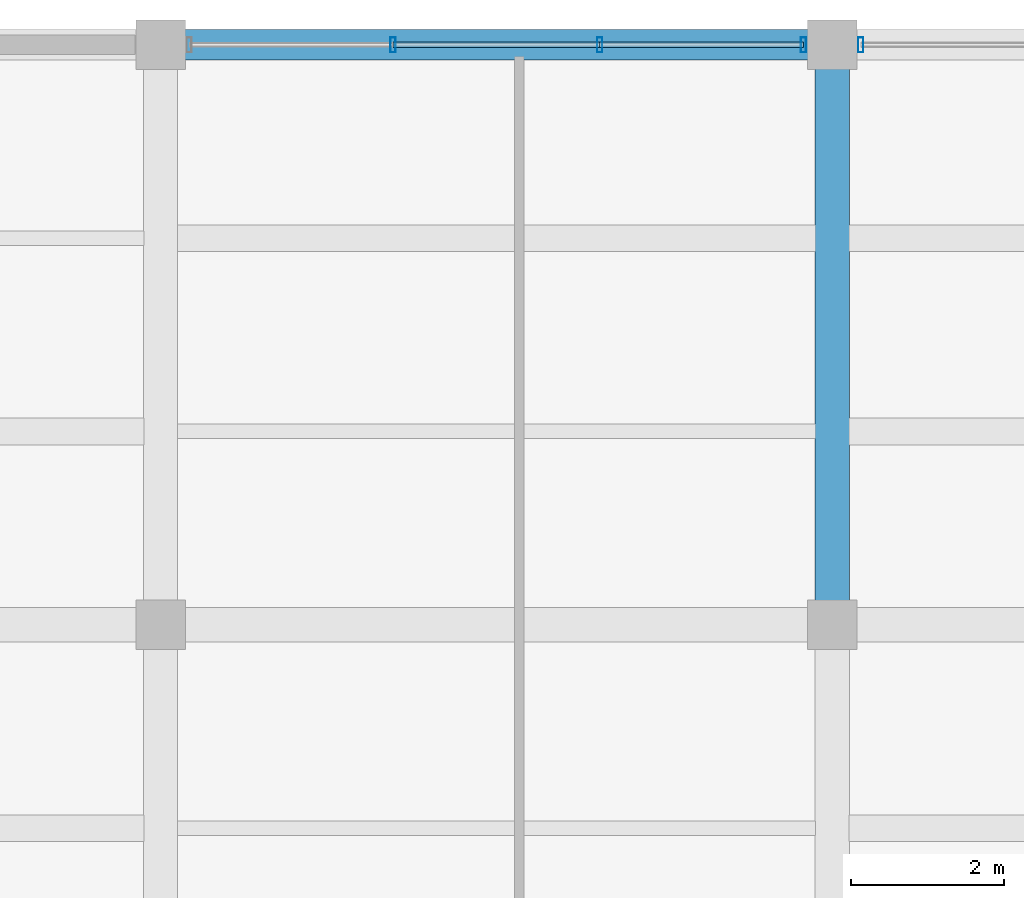
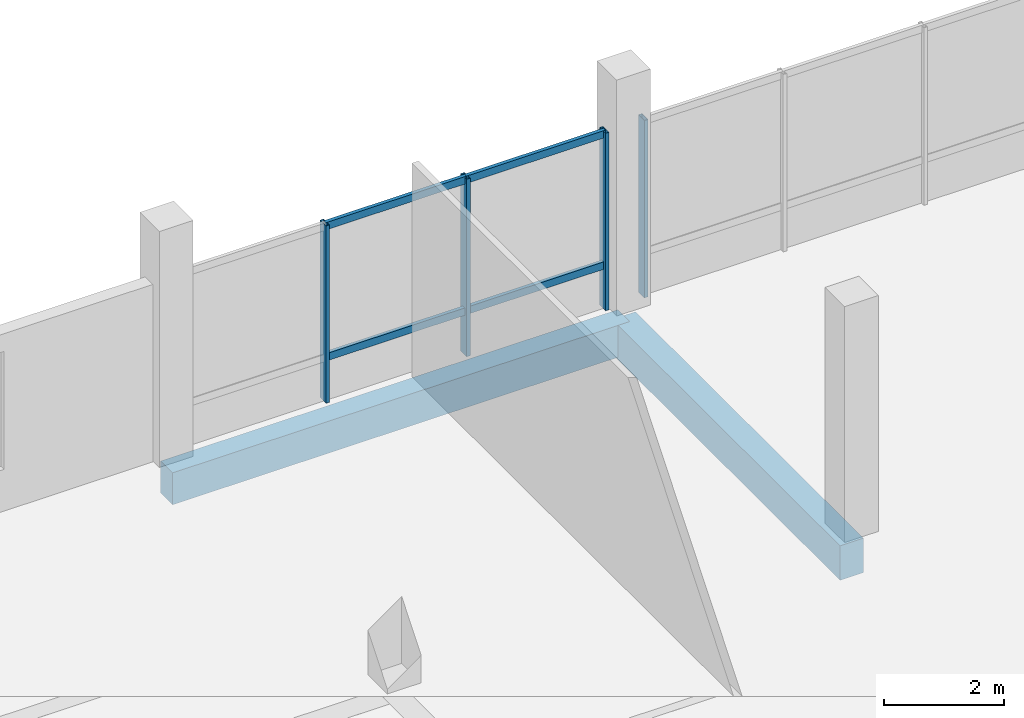
# One storey, part 49 of 71: 8 members, 2 beams, 2 elements without a shape of their own.
"""IFC4 building model written with IfcOpenShell, lengths in metres."""

from ifc_helpers import new_model, si_unit, direction, frame, origin, origin_2d, place, context, subcontext, project, spatial, rectangle, hollow_rectangle, extrude, material, layer, layer_set, material_profile, profile_set, type_object, element, aggregate, save


model = new_model("IFC4")

# Units and contexts
model_context = context("Model", 3, precision=1e-05, world=origin(), true_north=direction((0.0, 1.0)))
body_context = subcontext(model_context, "Body", "Model", "MODEL_VIEW")
ifc_project = project(units=[si_unit("LENGTHUNIT", "METRE"), si_unit("AREAUNIT", "SQUARE_METRE"), si_unit("VOLUMEUNIT", "CUBIC_METRE"), si_unit("PLANEANGLEUNIT", "RADIAN"), si_unit("MASSUNIT", "GRAM", prefix="KILO")], contexts=[model_context])

# Site, building, storey
site_placement = place(None, origin())
site = spatial("IfcSite", under=ifc_project, at=site_placement, CompositionType="ELEMENT")
building_placement = place(site_placement, origin())
building = spatial("IfcBuilding", under=site, at=building_placement, Name="Meriwether Solvik Hall", CompositionType="ELEMENT")
storey_placement = place(building_placement, frame((0.0, 0.0, 5.10009765625)))
storey = spatial("IfcBuildingStorey", under=building, at=storey_placement, Name="L01", CompositionType="ELEMENT", Elevation=5.10009765625)

# Beams
ifc_material_1 = material(Name="Concrete C40/50", Category="concrete")
ifc_material_profile_1 = material_profile(ifc_material_1, rectangle(XDim=0.39990234375, YDim=0.64990234375, at=origin_2d()), Name="RCB-400X650")
ifc_profile_set_1 = profile_set([ifc_material_profile_1], Name="Concrete C40/50")
beam_type_1 = type_object("IfcBeamType", Name="BM-RC-400X650", PredefinedType="SPANDREL", material=ifc_profile_set_1)
beam_1_placement = place(storey_placement, frame((131.800048828125, 116.800048828125, -0.625), z_axis=(1.0, 0.0, 0.0), x_axis=(0.0, 1.0, 0.0)))
element("IfcBeam", 1, at=beam_1_placement, inside=storey, type_object=beam_type_1, Name="Podium Girder N:15-16 (L01)", PredefinedType="SPANDREL", context=body_context, shape_type="SweptSolid", body=[
    extrude(rectangle(XDim=0.39990234375, YDim=0.64990234375, at=origin_2d()), origin(), (0.0, 0.0, 1.0), 8.800048828125),
])
ifc_material_2 = material(Name="Concrete C40/50", Category="concrete")
ifc_material_profile_2 = material_profile(ifc_material_2, rectangle(XDim=0.449951171875, YDim=0.699951171875, at=origin_2d()), Name="RCB-450X700")
ifc_profile_set_2 = profile_set([ifc_material_profile_2], Name="Concrete C40/50")
beam_type_2 = type_object("IfcBeamType", Name="BM-RC-450X700", PredefinedType="BEAM", material=ifc_profile_set_2)
beam_2_placement = place(storey_placement, frame((140.60009765625, 109.199951171875, -0.650146484375), z_axis=(0.0, 1.0, 0.0), x_axis=(-1.0, 0.0, 0.0)))
element("IfcBeam", 2, at=beam_2_placement, inside=storey, type_object=beam_type_2, Name="Podium Girder 16:M-N (L01)", PredefinedType="BEAM", context=body_context, shape_type="SweptSolid", body=[
    extrude(rectangle(XDim=0.449951171875, YDim=0.699951171875, at=origin_2d()), origin(), (0.0, 0.0, 1.0), 7.60009765625),
])

# Curtain wall, members
ifc_material_3 = material(Name="Thermally Broken Anodised Aluminium 6063-T6 and Low-E Glass", Category="aluminium")
ifc_layer = layer(ifc_material_3, 0.179931640625)
ifc_layer_set = layer_set([ifc_layer], Name="Thermally Broken Anodised Aluminium 6063-T6 and Low-E Glass")
curtain_wall_type = type_object("IfcCurtainWallType", Name="CW-SF-POD-B", PredefinedType="USERDEFINED", material=ifc_layer_set)
curtain_wall_1_placement = place(storey_placement, origin())
curtain_wall_1 = element("IfcCurtainWall", 3, at=curtain_wall_1_placement, inside=storey, type_object=curtain_wall_type, Name="Curtain Wall wing_XN_15_32 (L01)", ObjectType="STICK STOREFRONT GLAZING", PredefinedType="USERDEFINED")
ifc_material_4 = material(Name="Anodised Aluminium 6063-T6", Category="aluminium")
ifc_material_profile_3 = material_profile(ifc_material_4, hollow_rectangle(XDim=0.070068359375, YDim=0.199951171875, WallThickness=0.0048828125, at=origin_2d()), Name="CWM-70X200")
ifc_profile_set_3 = profile_set([ifc_material_profile_3], Name="Anodised Aluminium 6063-T6")
member_type_1 = type_object("IfcMemberType", Name="CW-MUL-70X200", PredefinedType="MULLION", material=ifc_profile_set_3)
member_1_placement = place(storey_placement, frame((134.845703125, 116.800048828125, 0.0), z_axis=(0.0, 0.0, 1.0), x_axis=(1.0, 0.0, 0.0)))
member_1 = element("IfcMember", 4, at=member_1_placement, type_object=member_type_1, Name="Curtain Wall Mullion 2", PredefinedType="MULLION", context=body_context, shape_type="SweptSolid", body=[
    extrude(hollow_rectangle(XDim=0.070068359375, YDim=0.199951171875, WallThickness=0.0048828125, at=origin_2d()), origin(), (0.0, 0.0, 1.0), 3.60986328125),
])
member_2_placement = place(storey_placement, frame((137.554443359375, 116.800048828125, 0.0), z_axis=(0.0, 0.0, 1.0), x_axis=(1.0, 0.0, 0.0)))
member_2 = element("IfcMember", 5, at=member_2_placement, type_object=member_type_1, Name="Curtain Wall Mullion 3", PredefinedType="MULLION", context=body_context, shape_type="SweptSolid", body=[
    extrude(hollow_rectangle(XDim=0.070068359375, YDim=0.199951171875, WallThickness=0.0048828125, at=origin_2d()), origin(), (0.0, 0.0, 1.0), 3.60986328125),
])
member_3_placement = place(storey_placement, frame((140.22509765625, 116.800048828125, 0.0), z_axis=(0.0, 0.0, 1.0), x_axis=(1.0, 0.0, 0.0)))
member_3 = element("IfcMember", 6, at=member_3_placement, type_object=member_type_1, Name="Curtain Wall Mullion 4", PredefinedType="MULLION", context=body_context, shape_type="SweptSolid", body=[
    extrude(hollow_rectangle(XDim=0.070068359375, YDim=0.199951171875, WallThickness=0.0048828125, at=origin_2d()), origin(), (0.0, 0.0, 1.0), 3.60986328125),
])

# Curtain wall, member
curtain_wall_2_placement = place(storey_placement, origin())
curtain_wall_2 = element("IfcCurtainWall", 7, at=curtain_wall_2_placement, inside=storey, type_object=curtain_wall_type, Name="Curtain Wall wing_XN_16_33 (L01)", ObjectType="STICK STOREFRONT GLAZING", PredefinedType="USERDEFINED")
member_4_placement = place(storey_placement, frame((140.97509765625, 116.800048828125, 0.0), z_axis=(0.0, 0.0, 1.0), x_axis=(1.0, 0.0, 0.0)))
member_4 = element("IfcMember", 8, at=member_4_placement, type_object=member_type_1, Name="Curtain Wall Mullion 1", PredefinedType="MULLION", context=body_context, shape_type="SweptSolid", body=[
    extrude(hollow_rectangle(XDim=0.070068359375, YDim=0.199951171875, WallThickness=0.0048828125, at=origin_2d()), origin(), (0.0, 0.0, 1.0), 3.60986328125),
])
aggregate(curtain_wall_2, [member_4])

# Member
ifc_material_5 = material(Name="Anodised Aluminium 6063-T6", Category="aluminium")
ifc_material_profile_4 = material_profile(ifc_material_5, hollow_rectangle(XDim=0.070068359375, YDim=0.14990234375, WallThickness=0.0048828125, at=origin_2d()), Name="CWT-70X150")
ifc_profile_set_4 = profile_set([ifc_material_profile_4], Name="Anodised Aluminium 6063-T6")
member_type_2 = type_object("IfcMemberType", Name="CW-TRN-70X150", PredefinedType="USERDEFINED", material=ifc_profile_set_4)
member_5_placement = place(storey_placement, frame((134.845703125, 116.800048828125, 0.8798828125), z_axis=(1.0, 0.0, 0.0), x_axis=(0.0, 1.0, 0.0)))
member_5 = element("IfcMember", 9, at=member_5_placement, type_object=member_type_2, Name="Curtain Wall Transom 2-sill", ObjectType="TRANSOM", PredefinedType="USERDEFINED", context=body_context, shape_type="SweptSolid", body=[
    extrude(hollow_rectangle(XDim=0.070068359375, YDim=0.14990234375, WallThickness=0.0048828125, at=origin_2d()), origin(), (0.0, 0.0, 1.0), 2.708740234375),
])

member_6_placement = place(storey_placement, frame((134.845703125, 116.800048828125, 3.5498046875), z_axis=(1.0, 0.0, 0.0), x_axis=(0.0, 1.0, 0.0)))
member_6 = element("IfcMember", 10, at=member_6_placement, type_object=member_type_2, Name="Curtain Wall Transom 2-head", ObjectType="TRANSOM", PredefinedType="USERDEFINED", context=body_context, shape_type="SweptSolid", body=[
    extrude(hollow_rectangle(XDim=0.070068359375, YDim=0.14990234375, WallThickness=0.0048828125, at=origin_2d()), origin(), (0.0, 0.0, 1.0), 2.708740234375),
])

member_7_placement = place(storey_placement, frame((137.554443359375, 116.800048828125, 0.8798828125), z_axis=(1.0, 0.0, 0.0), x_axis=(0.0, 1.0, 0.0)))
member_7 = element("IfcMember", 11, at=member_7_placement, type_object=member_type_2, Name="Curtain Wall Transom 3-sill", ObjectType="TRANSOM", PredefinedType="USERDEFINED", context=body_context, shape_type="SweptSolid", body=[
    extrude(hollow_rectangle(XDim=0.070068359375, YDim=0.14990234375, WallThickness=0.0048828125, at=origin_2d()), origin(), (0.0, 0.0, 1.0), 2.670654296875),
])

member_8_placement = place(storey_placement, frame((137.554443359375, 116.800048828125, 3.5498046875), z_axis=(1.0, 0.0, 0.0), x_axis=(0.0, 1.0, 0.0)))
member_8 = element("IfcMember", 12, at=member_8_placement, type_object=member_type_2, Name="Curtain Wall Transom 3-head", ObjectType="TRANSOM", PredefinedType="USERDEFINED", context=body_context, shape_type="SweptSolid", body=[
    extrude(hollow_rectangle(XDim=0.070068359375, YDim=0.14990234375, WallThickness=0.0048828125, at=origin_2d()), origin(), (0.0, 0.0, 1.0), 2.670654296875),
])

aggregate(curtain_wall_1, [member_1, member_2, member_3, member_5, member_6, member_7, member_8])

save(model, "model.ifc")
